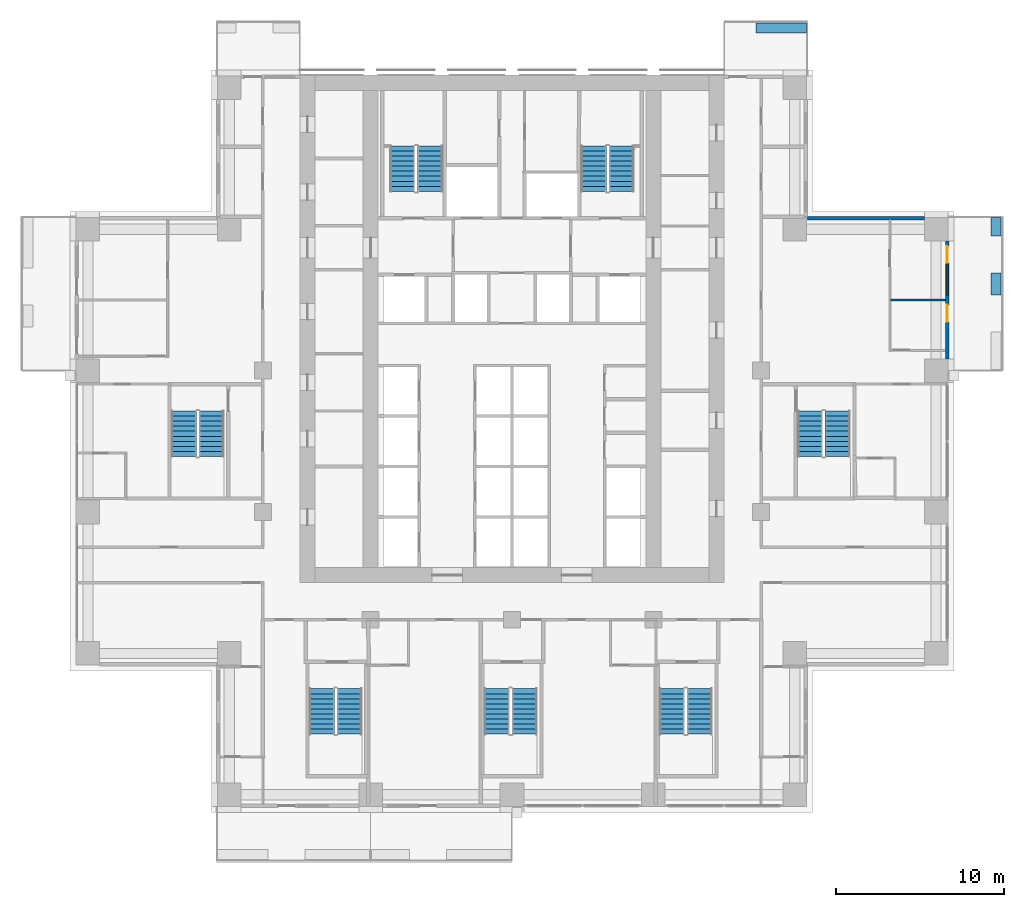
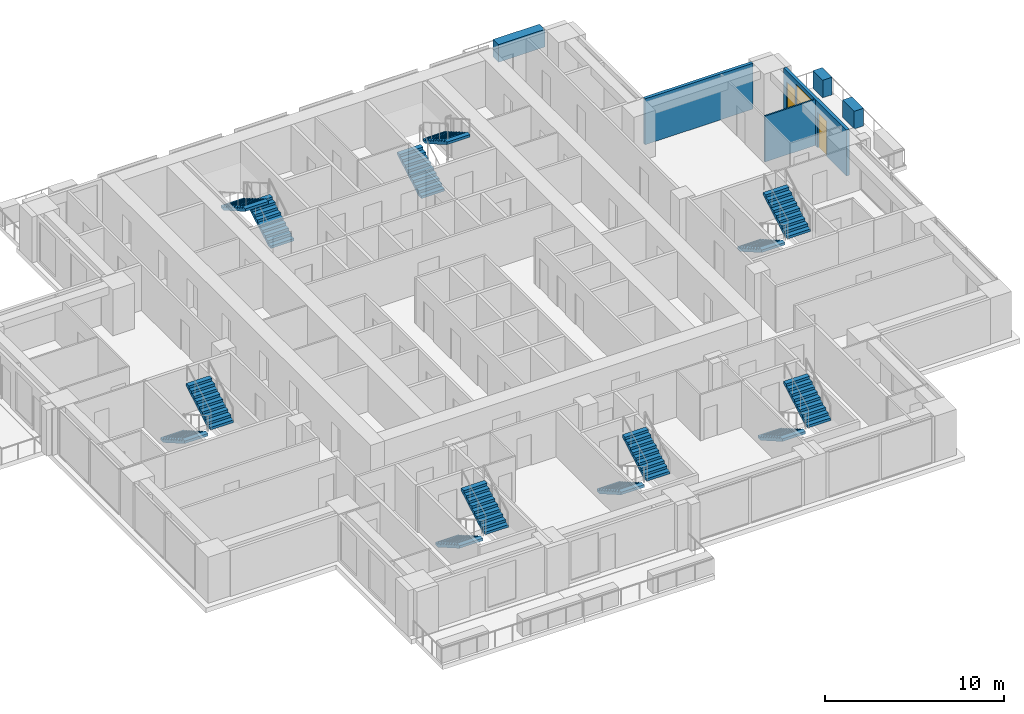
# One storey, part 12 of 16: 14 stair flights, 6 walls, 2 doors, 1 window, 3 openings, 7 elements without a shape of their own.
"""IFC4 building model written with IfcOpenShell, lengths in metres."""

from ifc_helpers import new_model, si_unit, direction, frame, frame_2d, origin, place, context, subcontext, project, spatial, polyline, rectangle, outline, extrude, material, layer, layer_set, type_object, element, fill, aggregate, save


model = new_model("IFC4")

# Units and contexts
model_context = context("Model", 3, precision=1e-05, world=origin(), true_north=direction((0.0, 1.0)))
body_context = subcontext(model_context, "Body", "Model", "MODEL_VIEW")
ifc_project = project(units=[si_unit("LENGTHUNIT", "METRE"), si_unit("AREAUNIT", "SQUARE_METRE"), si_unit("VOLUMEUNIT", "CUBIC_METRE"), si_unit("PLANEANGLEUNIT", "RADIAN"), si_unit("MASSUNIT", "GRAM", prefix="KILO")], contexts=[model_context])

# Site, building, storey
site_placement = place(None, origin())
site = spatial("IfcSite", under=ifc_project, at=site_placement, CompositionType="ELEMENT")
building_placement = place(site_placement, origin())
building = spatial("IfcBuilding", under=site, at=building_placement, Name="Vermilion Ogive Tower", CompositionType="ELEMENT")
storey_placement = place(building_placement, frame((0.0, 0.0, 44.85009765625)))
storey = spatial("IfcBuildingStorey", under=building, at=storey_placement, Name="L09", CompositionType="ELEMENT", Elevation=44.85009765625)

# Walls
ifc_material_1 = material(Name="Gypsum board partition on steel studs", Category="steel")
ifc_layer_1 = layer(ifc_material_1, 0.10009765625)
ifc_layer_set_1 = layer_set([ifc_layer_1], Name="Partition 100 inner")
wall_type_1 = type_object("IfcWallType", Name="Partition 100 inner", PredefinedType="PARTITIONING", material=ifc_layer_set_1)
wall_1_placement = place(storey_placement, frame((22.5, 8.39990234375, 0.0), z_axis=(0.0, 0.0, 1.0), x_axis=(1.0, 0.0, 0.0)))
element("IfcWall", 1, at=wall_1_placement, inside=storey, type_object=wall_type_1, Name="L09-W-W036", PredefinedType="PARTITIONING", context=body_context, shape_type="SweptSolid", body=[
    extrude(rectangle(XDim=3.25, YDim=0.10009765625, at=frame_2d((1.625, 0.0))), origin(), (0.0, 0.0, 1.0), 3.1298828125),
])
ifc_material_2 = material(Name="Concrete B40", Category="concrete")
ifc_layer_2 = layer(ifc_material_2, 0.60009765625)
ifc_layer_set_2 = layer_set([ifc_layer_2], Name="Structural planter")
wall_type_2 = type_object("IfcWallType", Name="Structural planter", PredefinedType="USERDEFINED", material=ifc_layer_set_2)
wall_2_placement = place(storey_placement, frame((28.75, 8.699951171875, -0.0400390625), z_axis=(0.0, 0.0, 1.0), x_axis=(0.0, 1.0, 0.0)))
element("IfcWall", 2, at=wall_2_placement, inside=storey, type_object=wall_type_2, Name="Planter E03A2", ObjectType="PLANTER", PredefinedType="USERDEFINED", context=body_context, shape_type="SweptSolid", body=[
    extrude(rectangle(XDim=1.300048828125, YDim=0.60009765625, at=frame_2d((0.64990234375, 0.0))), origin(), (0.0, 0.0, 1.0), 1.199951171875),
])
wall_3_placement = place(storey_placement, frame((28.75, 12.199951171875, -0.0400390625), z_axis=(0.0, 0.0, 1.0), x_axis=(0.0, 1.0, 0.0)))
element("IfcWall", 3, at=wall_3_placement, inside=storey, type_object=wall_type_2, Name="Planter E03A3", ObjectType="PLANTER", PredefinedType="USERDEFINED", context=body_context, shape_type="SweptSolid", body=[
    extrude(rectangle(XDim=1.090087890625, YDim=0.60009765625, at=frame_2d((0.544921875, 0.0))), origin(), (0.0, 0.0, 1.0), 1.199951171875),
])
wall_4_placement = place(storey_placement, frame((17.489990234375, 24.550048828125, -0.0400390625), z_axis=(0.0, 0.0, 1.0), x_axis=(-1.0, 0.0, 0.0)))
element("IfcWall", 4, at=wall_4_placement, inside=storey, type_object=wall_type_2, Name="Planter N101A1", ObjectType="PLANTER", PredefinedType="USERDEFINED", context=body_context, shape_type="SweptSolid", body=[
    extrude(rectangle(XDim=2.989990234375, YDim=0.60009765625, at=frame_2d((1.4951171875, 0.0))), origin(), (0.0, 0.0, 1.0), 1.199951171875),
])

# Wall, openings, doors, window
ifc_material_3 = material(Name="Aluminium window wall framing", Category="aluminium")
ifc_layer_3 = layer(ifc_material_3, 0.199951171875)
ifc_layer_set_3 = layer_set([ifc_layer_3], Name="Window wall")
wall_type_3 = type_object("IfcWallType", Name="Window wall", PredefinedType="STANDARD", material=ifc_layer_set_3)
wall_5_placement = place(storey_placement, frame((25.85009765625, 4.89990234375, 0.0), z_axis=(0.0, 0.0, 1.0), x_axis=(0.0, 1.0, 0.0)))
wall_5 = element("IfcWall", 5, at=wall_5_placement, inside=storey, type_object=wall_type_3, Name="Window wall E3", PredefinedType="STANDARD", context=body_context, shape_type="SweptSolid", body=[
    extrude(rectangle(XDim=7.0, YDim=0.199951171875, at=frame_2d((3.5, 0.0))), origin(), (0.0, 0.0, 1.0), 3.1298828125),
])
opening_1_placement = place(wall_5_placement, frame((2.199951171875, 0.0, 0.0)))
opening_1 = element("IfcOpeningElement", 6, at=opening_1_placement, cuts=wall_5, Name="Opening D1-E01", PredefinedType="OPENING", context=body_context, shape_type="SweptSolid", body=[
    extrude(rectangle(XDim=1.0, YDim=2.39990234375, at=frame_2d((0.5, 1.199951171875))), frame((0.0, 0.10986328125, 0.0), z_axis=(0.0, -1.0, 0.0), x_axis=(1.0, 0.0, 0.0)), (0.0, 0.0, 1.0), 0.219970703125),
])
opening_2_placement = place(wall_5_placement, frame((3.800048828125, 0.0, 0.199951171875)))
opening_2 = element("IfcOpeningElement", 7, at=opening_2_placement, cuts=wall_5, Name="Opening W1-E02", PredefinedType="OPENING", context=body_context, shape_type="SweptSolid", body=[
    extrude(rectangle(XDim=1.800048828125, YDim=2.64990234375, at=frame_2d((0.89990234375, 1.324951171875))), frame((0.0, 0.10986328125, 0.0), z_axis=(0.0, -1.0, 0.0), x_axis=(1.0, 0.0, 0.0)), (0.0, 0.0, 1.0), 0.219970703125),
])
opening_3_placement = place(wall_5_placement, frame((5.699951171875, 0.0, 0.0)))
opening_3 = element("IfcOpeningElement", 8, at=opening_3_placement, cuts=wall_5, Name="Opening D1-E02", PredefinedType="OPENING", context=body_context, shape_type="SweptSolid", body=[
    extrude(rectangle(XDim=1.0, YDim=2.39990234375, at=frame_2d((0.5, 1.199951171875))), frame((0.0, 0.10986328125, 0.0), z_axis=(0.0, -1.0, 0.0), x_axis=(1.0, 0.0, 0.0)), (0.0, 0.0, 1.0), 0.219970703125),
])
ifc_material_4 = material(Name="Aluminium framed glazed door", Category="aluminium")
door_type = type_object("IfcDoorType", Name="Balcony door D1", OperationType="SINGLE_SWING_LEFT", PredefinedType="DOOR", material=ifc_material_4)
door_1_placement = place(opening_1_placement, origin())
door_1 = element("IfcDoor", 9, at=door_1_placement, inside=storey, type_object=door_type, Name="Balcony door E01", OperationType="SINGLE_SWING_LEFT", OverallHeight=2.39990234375, OverallWidth=1.0, PredefinedType="DOOR", context=body_context, shape_type="SweptSolid", body=[
    extrude(rectangle(XDim=1.0, YDim=2.39990234375, at=frame_2d((0.5, 1.199951171875))), frame((0.0, 0.02490234375, 0.0), z_axis=(0.0, -1.0, 0.0), x_axis=(1.0, 0.0, 0.0)), (0.0, 0.0, 1.0), 0.050048828125),
])
fill(opening_1, door_1)
door_2_placement = place(opening_3_placement, origin())
door_2 = element("IfcDoor", 10, at=door_2_placement, inside=storey, type_object=door_type, Name="Balcony door E02", OperationType="SINGLE_SWING_LEFT", OverallHeight=2.39990234375, OverallWidth=1.0, PredefinedType="DOOR", context=body_context, shape_type="SweptSolid", body=[
    extrude(rectangle(XDim=1.0, YDim=2.39990234375, at=frame_2d((0.5, 1.199951171875))), frame((0.0, 0.02490234375, 0.0), z_axis=(0.0, -1.0, 0.0), x_axis=(1.0, 0.0, 0.0)), (0.0, 0.0, 1.0), 0.050048828125),
])
fill(opening_3, door_2)
ifc_material_5 = material(Name="Aluminium framed double glazing", Category="aluminium")
window_type = type_object("IfcWindowType", Name="Guest window W1", PartitioningType="SINGLE_PANEL", PredefinedType="WINDOW", material=ifc_material_5)
window_placement = place(opening_2_placement, origin())
window = element("IfcWindow", 11, at=window_placement, inside=storey, type_object=window_type, Name="Window E02", OverallHeight=2.64990234375, OverallWidth=1.800048828125, PartitioningType="SINGLE_PANEL", PredefinedType="WINDOW", context=body_context, shape_type="SweptSolid", body=[
    extrude(rectangle(XDim=1.800048828125, YDim=2.64990234375, at=frame_2d((0.89990234375, 1.324951171875))), frame((0.0, 0.030029296875, 0.0), z_axis=(0.0, -1.0, 0.0), x_axis=(1.0, 0.0, 0.0)), (0.0, 0.0, 1.0), 0.06005859375),
])
fill(opening_2, window)

# Wall
wall_6_placement = place(storey_placement, frame((24.5, 13.25, 0.0), z_axis=(0.0, 0.0, 1.0), x_axis=(-1.0, 0.0, 0.0)))
element("IfcWall", 12, at=wall_6_placement, inside=storey, type_object=wall_type_3, Name="Window wall X31", PredefinedType="STANDARD", context=body_context, shape_type="SweptSolid", body=[
    extrude(rectangle(XDim=6.949951171875, YDim=0.199951171875, at=frame_2d((3.47509765625, 0.0))), origin(), (0.0, 0.0, 1.0), 3.1298828125),
])

# Stair, stair flights
ifc_material_6 = material(Name="Concrete B40", Category="concrete")
stair_type = type_object("IfcStairType", Name="Exit stair 1500", PredefinedType="HALF_TURN_STAIR", material=ifc_material_6)
stair_1_placement = place(storey_placement, origin())
stair_1 = element("IfcStair", 13, at=stair_1_placement, inside=storey, type_object=stair_type, Name="L09 Exit Stair ST1", PredefinedType="HALF_TURN_STAIR")
ifc_material_7 = material(Name="Concrete B40", Category="concrete")
stair_flight_type = type_object("IfcStairFlightType", Name="Stair flight 1500", PredefinedType="STRAIGHT", material=ifc_material_7)
stair_flight_1_placement = place(storey_placement, frame((-4.85009765625, 14.85009765625, 0.0), z_axis=(0.0, 0.0, 1.0), x_axis=(0.0, 1.0, 0.0)))
stair_flight_1 = element("IfcStairFlight", 14, at=stair_flight_1_placement, type_object=stair_flight_type, Name="ST1 flight 1", NumberOfRisers=10, NumberOfTreads=9, PredefinedType="STRAIGHT", RiserHeight=0.1725, TreadLength=0.3, context=body_context, shape_type="SweptSolid", body=[
    extrude(outline(polyline([(0.0, 0.0), (0.0, 0.172607421875), (0.300048828125, 0.172607421875), (0.300048828125, 0.344970703125), (0.60009765625, 0.344970703125), (0.60009765625, 0.517578125), (0.89990234375, 0.517578125), (0.89990234375, 0.68994140625), (1.199951171875, 0.68994140625), (1.199951171875, 0.862548828125), (1.5, 0.862548828125), (1.5, 1.034912109375), (1.800048828125, 1.034912109375), (1.800048828125, 1.20751953125), (2.10009765625, 1.20751953125), (2.10009765625, 1.3798828125), (2.39990234375, 1.3798828125), (2.39990234375, 1.552490234375), (2.699951171875, 1.552490234375), (2.699951171875, 1.72509765625), (2.699951171875, 1.379638671875), (0.30078125, 0.0), (0.0, 0.0)])), frame((0.0, 0.75, 0.0), z_axis=(0.0, -1.0, 0.0), x_axis=(1.0, 0.0, 0.0)), (0.0, 0.0, 1.0), 1.5),
])
stair_flight_2_placement = place(storey_placement, frame((-6.5, 17.550048828125, 1.724853515625), z_axis=(0.0, 0.0, 1.0), x_axis=(0.0, -1.0, 0.0)))
stair_flight_2 = element("IfcStairFlight", 15, at=stair_flight_2_placement, type_object=stair_flight_type, Name="ST1 flight 2", NumberOfRisers=10, NumberOfTreads=9, PredefinedType="STRAIGHT", RiserHeight=0.1725, TreadLength=0.3, context=body_context, shape_type="SweptSolid", body=[
    extrude(outline(polyline([(0.0, 0.0), (0.0, 0.172607421875), (0.300048828125, 0.172607421875), (0.300048828125, 0.344970703125), (0.60009765625, 0.344970703125), (0.60009765625, 0.517578125), (0.89990234375, 0.517578125), (0.89990234375, 0.68994140625), (1.199951171875, 0.68994140625), (1.199951171875, 0.862548828125), (1.5, 0.862548828125), (1.5, 1.034912109375), (1.800048828125, 1.034912109375), (1.800048828125, 1.20751953125), (2.10009765625, 1.20751953125), (2.10009765625, 1.3798828125), (2.39990234375, 1.3798828125), (2.39990234375, 1.552490234375), (2.699951171875, 1.552490234375), (2.699951171875, 1.72509765625), (2.699951171875, 1.379638671875), (0.30078125, 0.0), (0.0, 0.0)])), frame((0.0, 0.75, 0.0), z_axis=(0.0, -1.0, 0.0), x_axis=(1.0, 0.0, 0.0)), (0.0, 0.0, 1.0), 1.5),
])
aggregate(stair_1, [stair_flight_1, stair_flight_2])

stair_2_placement = place(storey_placement, origin())
stair_2 = element("IfcStair", 16, at=stair_2_placement, inside=storey, type_object=stair_type, Name="L09 Exit Stair ST2", PredefinedType="HALF_TURN_STAIR")
stair_flight_3_placement = place(storey_placement, frame((4.85009765625, 14.85009765625, 0.0), z_axis=(0.0, 0.0, 1.0), x_axis=(0.0, 1.0, 0.0)))
stair_flight_3 = element("IfcStairFlight", 17, at=stair_flight_3_placement, type_object=stair_flight_type, Name="ST2 flight 1", NumberOfRisers=10, NumberOfTreads=9, PredefinedType="STRAIGHT", RiserHeight=0.1725, TreadLength=0.3, context=body_context, shape_type="SweptSolid", body=[
    extrude(outline(polyline([(0.0, 0.0), (0.0, 0.172607421875), (0.300048828125, 0.172607421875), (0.300048828125, 0.344970703125), (0.60009765625, 0.344970703125), (0.60009765625, 0.517578125), (0.89990234375, 0.517578125), (0.89990234375, 0.68994140625), (1.199951171875, 0.68994140625), (1.199951171875, 0.862548828125), (1.5, 0.862548828125), (1.5, 1.034912109375), (1.800048828125, 1.034912109375), (1.800048828125, 1.20751953125), (2.10009765625, 1.20751953125), (2.10009765625, 1.3798828125), (2.39990234375, 1.3798828125), (2.39990234375, 1.552490234375), (2.699951171875, 1.552490234375), (2.699951171875, 1.72509765625), (2.699951171875, 1.379638671875), (0.30078125, 0.0), (0.0, 0.0)])), frame((0.0, 0.75, 0.0), z_axis=(0.0, -1.0, 0.0), x_axis=(1.0, 0.0, 0.0)), (0.0, 0.0, 1.0), 1.5),
])
stair_flight_4_placement = place(storey_placement, frame((6.5, 17.550048828125, 1.724853515625), z_axis=(0.0, 0.0, 1.0), x_axis=(0.0, -1.0, 0.0)))
stair_flight_4 = element("IfcStairFlight", 18, at=stair_flight_4_placement, type_object=stair_flight_type, Name="ST2 flight 2", NumberOfRisers=10, NumberOfTreads=9, PredefinedType="STRAIGHT", RiserHeight=0.1725, TreadLength=0.3, context=body_context, shape_type="SweptSolid", body=[
    extrude(outline(polyline([(0.0, 0.0), (0.0, 0.172607421875), (0.300048828125, 0.172607421875), (0.300048828125, 0.344970703125), (0.60009765625, 0.344970703125), (0.60009765625, 0.517578125), (0.89990234375, 0.517578125), (0.89990234375, 0.68994140625), (1.199951171875, 0.68994140625), (1.199951171875, 0.862548828125), (1.5, 0.862548828125), (1.5, 1.034912109375), (1.800048828125, 1.034912109375), (1.800048828125, 1.20751953125), (2.10009765625, 1.20751953125), (2.10009765625, 1.3798828125), (2.39990234375, 1.3798828125), (2.39990234375, 1.552490234375), (2.699951171875, 1.552490234375), (2.699951171875, 1.72509765625), (2.699951171875, 1.379638671875), (0.30078125, 0.0), (0.0, 0.0)])), frame((0.0, 0.75, 0.0), z_axis=(0.0, -1.0, 0.0), x_axis=(1.0, 0.0, 0.0)), (0.0, 0.0, 1.0), 1.5),
])
aggregate(stair_2, [stair_flight_3, stair_flight_4])

stair_3_placement = place(storey_placement, origin())
stair_3 = element("IfcStair", 19, at=stair_3_placement, inside=storey, type_object=stair_type, Name="L09 Exit Stair ST3", PredefinedType="HALF_TURN_STAIR")
stair_flight_5_placement = place(storey_placement, frame((-11.300048828125, -14.699951171875, 0.0), z_axis=(0.0, 0.0, 1.0), x_axis=(0.0, -1.0, 0.0)))
stair_flight_5 = element("IfcStairFlight", 20, at=stair_flight_5_placement, type_object=stair_flight_type, Name="ST3 flight 1", NumberOfRisers=10, NumberOfTreads=9, PredefinedType="STRAIGHT", RiserHeight=0.1725, TreadLength=0.3, context=body_context, shape_type="SweptSolid", body=[
    extrude(outline(polyline([(0.0, 0.0), (0.0, 0.172607421875), (0.300048828125, 0.172607421875), (0.300048828125, 0.344970703125), (0.60009765625, 0.344970703125), (0.60009765625, 0.517578125), (0.89990234375, 0.517578125), (0.89990234375, 0.68994140625), (1.199951171875, 0.68994140625), (1.199951171875, 0.862548828125), (1.5, 0.862548828125), (1.5, 1.034912109375), (1.800048828125, 1.034912109375), (1.800048828125, 1.20751953125), (2.10009765625, 1.20751953125), (2.10009765625, 1.3798828125), (2.39990234375, 1.3798828125), (2.39990234375, 1.552490234375), (2.699951171875, 1.552490234375), (2.699951171875, 1.72509765625), (2.699951171875, 1.379638671875), (0.30078125, 0.0), (0.0, 0.0)])), frame((0.0, 0.75, 0.0), z_axis=(0.0, -1.0, 0.0), x_axis=(1.0, 0.0, 0.0)), (0.0, 0.0, 1.0), 1.5),
])
stair_flight_6_placement = place(storey_placement, frame((-9.64990234375, -17.39990234375, 1.724853515625), z_axis=(0.0, 0.0, 1.0), x_axis=(0.0, 1.0, 0.0)))
stair_flight_6 = element("IfcStairFlight", 21, at=stair_flight_6_placement, type_object=stair_flight_type, Name="ST3 flight 2", NumberOfRisers=10, NumberOfTreads=9, PredefinedType="STRAIGHT", RiserHeight=0.1725, TreadLength=0.3, context=body_context, shape_type="SweptSolid", body=[
    extrude(outline(polyline([(0.0, 0.0), (0.0, 0.172607421875), (0.300048828125, 0.172607421875), (0.300048828125, 0.344970703125), (0.60009765625, 0.344970703125), (0.60009765625, 0.517578125), (0.89990234375, 0.517578125), (0.89990234375, 0.68994140625), (1.199951171875, 0.68994140625), (1.199951171875, 0.862548828125), (1.5, 0.862548828125), (1.5, 1.034912109375), (1.800048828125, 1.034912109375), (1.800048828125, 1.20751953125), (2.10009765625, 1.20751953125), (2.10009765625, 1.3798828125), (2.39990234375, 1.3798828125), (2.39990234375, 1.552490234375), (2.699951171875, 1.552490234375), (2.699951171875, 1.72509765625), (2.699951171875, 1.379638671875), (0.30078125, 0.0), (0.0, 0.0)])), frame((0.0, 0.75, 0.0), z_axis=(0.0, -1.0, 0.0), x_axis=(1.0, 0.0, 0.0)), (0.0, 0.0, 1.0), 1.5),
])
aggregate(stair_3, [stair_flight_5, stair_flight_6])

stair_4_placement = place(storey_placement, origin())
stair_4 = element("IfcStair", 22, at=stair_4_placement, inside=storey, type_object=stair_type, Name="L09 Exit Stair ST4", PredefinedType="HALF_TURN_STAIR")
stair_flight_7_placement = place(storey_placement, frame((-0.89990234375, -14.699951171875, 0.0), z_axis=(0.0, 0.0, 1.0), x_axis=(0.0, -1.0, 0.0)))
stair_flight_7 = element("IfcStairFlight", 23, at=stair_flight_7_placement, type_object=stair_flight_type, Name="ST4 flight 1", NumberOfRisers=10, NumberOfTreads=9, PredefinedType="STRAIGHT", RiserHeight=0.1725, TreadLength=0.3, context=body_context, shape_type="SweptSolid", body=[
    extrude(outline(polyline([(0.0, 0.0), (0.0, 0.172607421875), (0.300048828125, 0.172607421875), (0.300048828125, 0.344970703125), (0.60009765625, 0.344970703125), (0.60009765625, 0.517578125), (0.89990234375, 0.517578125), (0.89990234375, 0.68994140625), (1.199951171875, 0.68994140625), (1.199951171875, 0.862548828125), (1.5, 0.862548828125), (1.5, 1.034912109375), (1.800048828125, 1.034912109375), (1.800048828125, 1.20751953125), (2.10009765625, 1.20751953125), (2.10009765625, 1.3798828125), (2.39990234375, 1.3798828125), (2.39990234375, 1.552490234375), (2.699951171875, 1.552490234375), (2.699951171875, 1.72509765625), (2.699951171875, 1.379638671875), (0.30078125, 0.0), (0.0, 0.0)])), frame((0.0, 0.75, 0.0), z_axis=(0.0, -1.0, 0.0), x_axis=(1.0, 0.0, 0.0)), (0.0, 0.0, 1.0), 1.5),
])
stair_flight_8_placement = place(storey_placement, frame((0.75, -17.39990234375, 1.724853515625), z_axis=(0.0, 0.0, 1.0), x_axis=(0.0, 1.0, 0.0)))
stair_flight_8 = element("IfcStairFlight", 24, at=stair_flight_8_placement, type_object=stair_flight_type, Name="ST4 flight 2", NumberOfRisers=10, NumberOfTreads=9, PredefinedType="STRAIGHT", RiserHeight=0.1725, TreadLength=0.3, context=body_context, shape_type="SweptSolid", body=[
    extrude(outline(polyline([(0.0, 0.0), (0.0, 0.172607421875), (0.300048828125, 0.172607421875), (0.300048828125, 0.344970703125), (0.60009765625, 0.344970703125), (0.60009765625, 0.517578125), (0.89990234375, 0.517578125), (0.89990234375, 0.68994140625), (1.199951171875, 0.68994140625), (1.199951171875, 0.862548828125), (1.5, 0.862548828125), (1.5, 1.034912109375), (1.800048828125, 1.034912109375), (1.800048828125, 1.20751953125), (2.10009765625, 1.20751953125), (2.10009765625, 1.3798828125), (2.39990234375, 1.3798828125), (2.39990234375, 1.552490234375), (2.699951171875, 1.552490234375), (2.699951171875, 1.72509765625), (2.699951171875, 1.379638671875), (0.30078125, 0.0), (0.0, 0.0)])), frame((0.0, 0.75, 0.0), z_axis=(0.0, -1.0, 0.0), x_axis=(1.0, 0.0, 0.0)), (0.0, 0.0, 1.0), 1.5),
])
aggregate(stair_4, [stair_flight_7, stair_flight_8])

stair_5_placement = place(storey_placement, origin())
stair_5 = element("IfcStair", 25, at=stair_5_placement, inside=storey, type_object=stair_type, Name="L09 Exit Stair ST5", PredefinedType="HALF_TURN_STAIR")
stair_flight_9_placement = place(storey_placement, frame((9.5, -14.699951171875, 0.0), z_axis=(0.0, 0.0, 1.0), x_axis=(0.0, -1.0, 0.0)))
stair_flight_9 = element("IfcStairFlight", 26, at=stair_flight_9_placement, type_object=stair_flight_type, Name="ST5 flight 1", NumberOfRisers=10, NumberOfTreads=9, PredefinedType="STRAIGHT", RiserHeight=0.1725, TreadLength=0.3, context=body_context, shape_type="SweptSolid", body=[
    extrude(outline(polyline([(0.0, 0.0), (0.0, 0.172607421875), (0.300048828125, 0.172607421875), (0.300048828125, 0.344970703125), (0.60009765625, 0.344970703125), (0.60009765625, 0.517578125), (0.89990234375, 0.517578125), (0.89990234375, 0.68994140625), (1.199951171875, 0.68994140625), (1.199951171875, 0.862548828125), (1.5, 0.862548828125), (1.5, 1.034912109375), (1.800048828125, 1.034912109375), (1.800048828125, 1.20751953125), (2.10009765625, 1.20751953125), (2.10009765625, 1.3798828125), (2.39990234375, 1.3798828125), (2.39990234375, 1.552490234375), (2.699951171875, 1.552490234375), (2.699951171875, 1.72509765625), (2.699951171875, 1.379638671875), (0.30078125, 0.0), (0.0, 0.0)])), frame((0.0, 0.75, 0.0), z_axis=(0.0, -1.0, 0.0), x_axis=(1.0, 0.0, 0.0)), (0.0, 0.0, 1.0), 1.5),
])
stair_flight_10_placement = place(storey_placement, frame((11.14990234375, -17.39990234375, 1.724853515625), z_axis=(0.0, 0.0, 1.0), x_axis=(0.0, 1.0, 0.0)))
stair_flight_10 = element("IfcStairFlight", 27, at=stair_flight_10_placement, type_object=stair_flight_type, Name="ST5 flight 2", NumberOfRisers=10, NumberOfTreads=9, PredefinedType="STRAIGHT", RiserHeight=0.1725, TreadLength=0.3, context=body_context, shape_type="SweptSolid", body=[
    extrude(outline(polyline([(0.0, 0.0), (0.0, 0.172607421875), (0.300048828125, 0.172607421875), (0.300048828125, 0.344970703125), (0.60009765625, 0.344970703125), (0.60009765625, 0.517578125), (0.89990234375, 0.517578125), (0.89990234375, 0.68994140625), (1.199951171875, 0.68994140625), (1.199951171875, 0.862548828125), (1.5, 0.862548828125), (1.5, 1.034912109375), (1.800048828125, 1.034912109375), (1.800048828125, 1.20751953125), (2.10009765625, 1.20751953125), (2.10009765625, 1.3798828125), (2.39990234375, 1.3798828125), (2.39990234375, 1.552490234375), (2.699951171875, 1.552490234375), (2.699951171875, 1.72509765625), (2.699951171875, 1.379638671875), (0.30078125, 0.0), (0.0, 0.0)])), frame((0.0, 0.75, 0.0), z_axis=(0.0, -1.0, 0.0), x_axis=(1.0, 0.0, 0.0)), (0.0, 0.0, 1.0), 1.5),
])
aggregate(stair_5, [stair_flight_9, stair_flight_10])

stair_6_placement = place(storey_placement, origin())
stair_6 = element("IfcStair", 28, at=stair_6_placement, inside=storey, type_object=stair_type, Name="L09 Exit Stair ST8", PredefinedType="HALF_TURN_STAIR")
stair_flight_11_placement = place(storey_placement, frame((17.699951171875, 1.800048828125, 0.0), z_axis=(0.0, 0.0, 1.0), x_axis=(0.0, -1.0, 0.0)))
stair_flight_11 = element("IfcStairFlight", 29, at=stair_flight_11_placement, type_object=stair_flight_type, Name="ST8 flight 1", NumberOfRisers=10, NumberOfTreads=9, PredefinedType="STRAIGHT", RiserHeight=0.1725, TreadLength=0.3, context=body_context, shape_type="SweptSolid", body=[
    extrude(outline(polyline([(0.0, 0.0), (0.0, 0.172607421875), (0.300048828125, 0.172607421875), (0.300048828125, 0.344970703125), (0.60009765625, 0.344970703125), (0.60009765625, 0.517578125), (0.89990234375, 0.517578125), (0.89990234375, 0.68994140625), (1.199951171875, 0.68994140625), (1.199951171875, 0.862548828125), (1.5, 0.862548828125), (1.5, 1.034912109375), (1.800048828125, 1.034912109375), (1.800048828125, 1.20751953125), (2.10009765625, 1.20751953125), (2.10009765625, 1.3798828125), (2.39990234375, 1.3798828125), (2.39990234375, 1.552490234375), (2.699951171875, 1.552490234375), (2.699951171875, 1.72509765625), (2.699951171875, 1.379638671875), (0.30078125, 0.0), (0.0, 0.0)])), frame((0.0, 0.75, 0.0), z_axis=(0.0, -1.0, 0.0), x_axis=(1.0, 0.0, 0.0)), (0.0, 0.0, 1.0), 1.5),
])
stair_flight_12_placement = place(storey_placement, frame((19.35009765625, -0.89990234375, 1.724853515625), z_axis=(0.0, 0.0, 1.0), x_axis=(0.0, 1.0, 0.0)))
stair_flight_12 = element("IfcStairFlight", 30, at=stair_flight_12_placement, type_object=stair_flight_type, Name="ST8 flight 2", NumberOfRisers=10, NumberOfTreads=9, PredefinedType="STRAIGHT", RiserHeight=0.1725, TreadLength=0.3, context=body_context, shape_type="SweptSolid", body=[
    extrude(outline(polyline([(0.0, 0.0), (0.0, 0.172607421875), (0.300048828125, 0.172607421875), (0.300048828125, 0.344970703125), (0.60009765625, 0.344970703125), (0.60009765625, 0.517578125), (0.89990234375, 0.517578125), (0.89990234375, 0.68994140625), (1.199951171875, 0.68994140625), (1.199951171875, 0.862548828125), (1.5, 0.862548828125), (1.5, 1.034912109375), (1.800048828125, 1.034912109375), (1.800048828125, 1.20751953125), (2.10009765625, 1.20751953125), (2.10009765625, 1.3798828125), (2.39990234375, 1.3798828125), (2.39990234375, 1.552490234375), (2.699951171875, 1.552490234375), (2.699951171875, 1.72509765625), (2.699951171875, 1.379638671875), (0.30078125, 0.0), (0.0, 0.0)])), frame((0.0, 0.75, 0.0), z_axis=(0.0, -1.0, 0.0), x_axis=(1.0, 0.0, 0.0)), (0.0, 0.0, 1.0), 1.5),
])
aggregate(stair_6, [stair_flight_11, stair_flight_12])

stair_7_placement = place(storey_placement, origin())
stair_7 = element("IfcStair", 31, at=stair_7_placement, inside=storey, type_object=stair_type, Name="L09 Exit Stair ST9", PredefinedType="HALF_TURN_STAIR")
stair_flight_13_placement = place(storey_placement, frame((-19.5, 1.800048828125, 0.0), z_axis=(0.0, 0.0, 1.0), x_axis=(0.0, -1.0, 0.0)))
stair_flight_13 = element("IfcStairFlight", 32, at=stair_flight_13_placement, type_object=stair_flight_type, Name="ST9 flight 1", NumberOfRisers=10, NumberOfTreads=9, PredefinedType="STRAIGHT", RiserHeight=0.1725, TreadLength=0.3, context=body_context, shape_type="SweptSolid", body=[
    extrude(outline(polyline([(0.0, 0.0), (0.0, 0.172607421875), (0.300048828125, 0.172607421875), (0.300048828125, 0.344970703125), (0.60009765625, 0.344970703125), (0.60009765625, 0.517578125), (0.89990234375, 0.517578125), (0.89990234375, 0.68994140625), (1.199951171875, 0.68994140625), (1.199951171875, 0.862548828125), (1.5, 0.862548828125), (1.5, 1.034912109375), (1.800048828125, 1.034912109375), (1.800048828125, 1.20751953125), (2.10009765625, 1.20751953125), (2.10009765625, 1.3798828125), (2.39990234375, 1.3798828125), (2.39990234375, 1.552490234375), (2.699951171875, 1.552490234375), (2.699951171875, 1.72509765625), (2.699951171875, 1.379638671875), (0.30078125, 0.0), (0.0, 0.0)])), frame((0.0, 0.75, 0.0), z_axis=(0.0, -1.0, 0.0), x_axis=(1.0, 0.0, 0.0)), (0.0, 0.0, 1.0), 1.5),
])
stair_flight_14_placement = place(storey_placement, frame((-17.85009765625, -0.89990234375, 1.724853515625), z_axis=(0.0, 0.0, 1.0), x_axis=(0.0, 1.0, 0.0)))
stair_flight_14 = element("IfcStairFlight", 33, at=stair_flight_14_placement, type_object=stair_flight_type, Name="ST9 flight 2", NumberOfRisers=10, NumberOfTreads=9, PredefinedType="STRAIGHT", RiserHeight=0.1725, TreadLength=0.3, context=body_context, shape_type="SweptSolid", body=[
    extrude(outline(polyline([(0.0, 0.0), (0.0, 0.172607421875), (0.300048828125, 0.172607421875), (0.300048828125, 0.344970703125), (0.60009765625, 0.344970703125), (0.60009765625, 0.517578125), (0.89990234375, 0.517578125), (0.89990234375, 0.68994140625), (1.199951171875, 0.68994140625), (1.199951171875, 0.862548828125), (1.5, 0.862548828125), (1.5, 1.034912109375), (1.800048828125, 1.034912109375), (1.800048828125, 1.20751953125), (2.10009765625, 1.20751953125), (2.10009765625, 1.3798828125), (2.39990234375, 1.3798828125), (2.39990234375, 1.552490234375), (2.699951171875, 1.552490234375), (2.699951171875, 1.72509765625), (2.699951171875, 1.379638671875), (0.30078125, 0.0), (0.0, 0.0)])), frame((0.0, 0.75, 0.0), z_axis=(0.0, -1.0, 0.0), x_axis=(1.0, 0.0, 0.0)), (0.0, 0.0, 1.0), 1.5),
])
aggregate(stair_7, [stair_flight_13, stair_flight_14])

save(model, "model.ifc")
